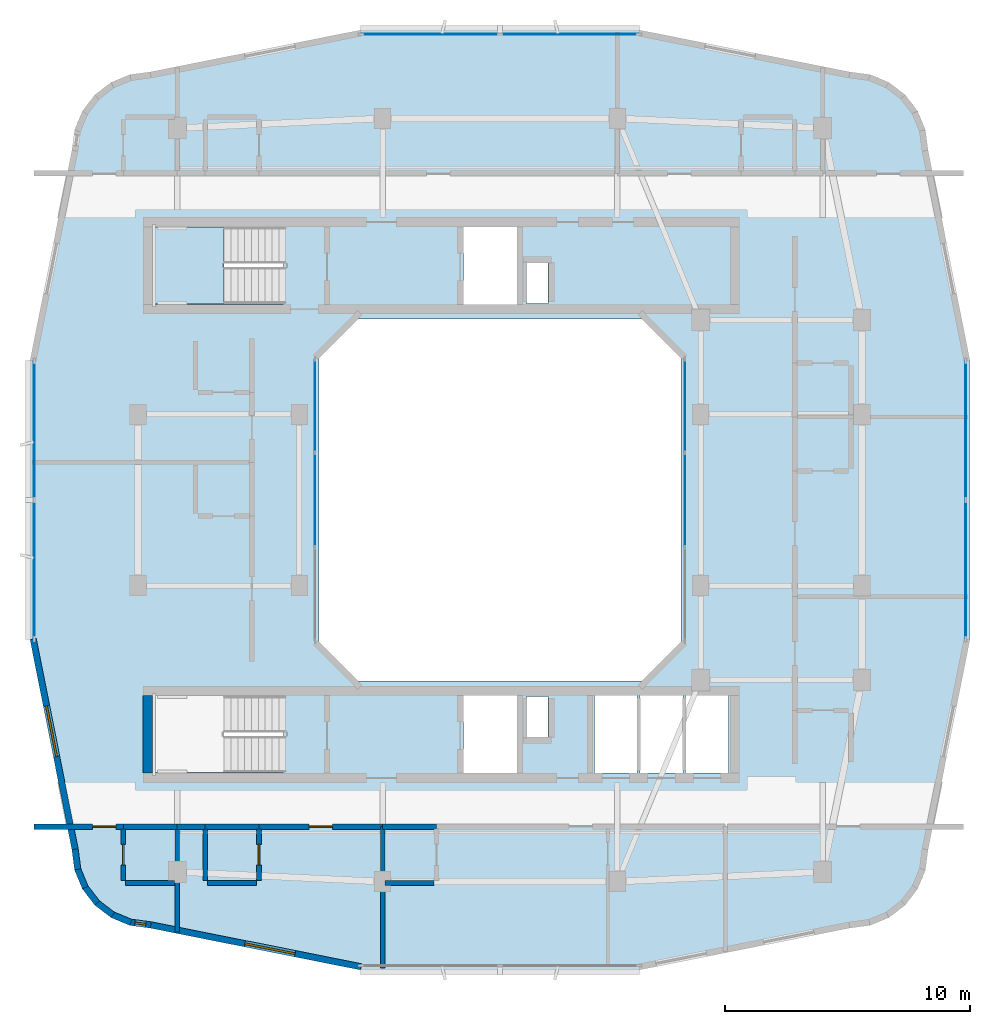
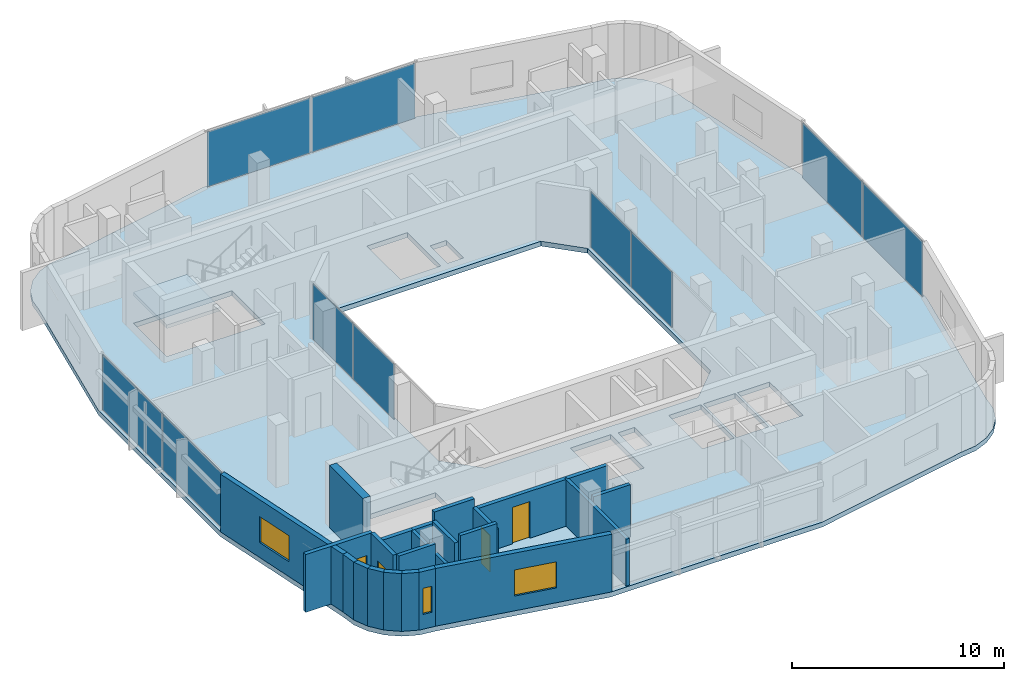
# One storey, part 6 of 14: 23 walls, 10 plates, 4 doors, 3 windows, 2 slabs, 7 openings, 6 elements without a shape of their own.
"""IFC4 building model written with IfcOpenShell, lengths in metres."""

from ifc_helpers import new_model, si_unit, derived_unit, direction, frame, frame_2d, origin, origin_2d, place, context, subcontext, project, spatial, polyline, rectangle, outline, extrude, material, layer, layer_set, type_object, element, fill, aggregate, save


model = new_model("IFC4")

# Units and contexts
model_context = context("Model", 3, precision=1e-05, world=origin(), true_north=direction((0.0, 1.0)))
body_context = subcontext(model_context, "Body", "Model", "MODEL_VIEW")
ifc_project = project(units=[si_unit("LENGTHUNIT", "METRE"), si_unit("AREAUNIT", "SQUARE_METRE"), si_unit("VOLUMEUNIT", "CUBIC_METRE"), si_unit("PLANEANGLEUNIT", "RADIAN"), si_unit("MASSUNIT", "GRAM", prefix="KILO"), derived_unit("THERMALTRANSMITTANCEUNIT", [(si_unit("POWERUNIT", "WATT"), 1), (si_unit("LENGTHUNIT", "METRE"), -2), (si_unit("THERMODYNAMICTEMPERATUREUNIT", "KELVIN"), -1)])], contexts=[model_context])

# Site, building, storey
site_placement = place(None, origin())
site = spatial("IfcSite", under=ifc_project, at=site_placement, CompositionType="ELEMENT")
building_placement = place(site_placement, origin())
building = spatial("IfcBuilding", under=site, at=building_placement, Name="Kivonza Crest Hotel", CompositionType="ELEMENT")
storey_placement = place(building_placement, frame((0.0, 0.0, 202.699951171875)))
storey = spatial("IfcBuildingStorey", under=building, at=storey_placement, Name="L55", CompositionType="ELEMENT", Elevation=202.699951171875)

# Curtain wall, plates
ifc_material_1 = material(Name="Anodised bronze aluminium and low-E double glazing", Category="aluminium")
ifc_layer_1 = layer(ifc_material_1, 0.159912109375)
ifc_layer_set_1 = layer_set([ifc_layer_1], Name="Anodised bronze aluminium and low-E double glazing")
curtain_wall_type_1 = type_object("IfcCurtainWallType", Name="CW-SYS-5", PredefinedType="NOTDEFINED", material=ifc_layer_set_1)
curtain_wall_1_placement = place(storey_placement, origin())
curtain_wall_1 = element("IfcCurtainWall", 1, at=curtain_wall_1_placement, inside=storey, type_object=curtain_wall_type_1, Name="L55 unitised curtain wall CW-WELL-T1-L55-3", PredefinedType="NOTDEFINED")
ifc_material_2 = material(Name="Solar-control low-E double glazing", Category="glass")
ifc_layer_2 = layer(ifc_material_2, 0.028076171875)
ifc_layer_set_2 = layer_set([ifc_layer_2], Name="Solar-control low-E double glazing")
plate_type_1 = type_object("IfcPlateType", Name="CW-PNL-28", PredefinedType="CURTAIN_PANEL", material=ifc_layer_set_2)
plate_1_placement = place(storey_placement, frame((28.56005859375, 25.0, 0.065185546875), z_axis=(0.0, 0.0, 1.0), x_axis=(0.0, 1.0, 0.0)))
plate_1 = element("IfcPlate", 2, at=plate_1_placement, type_object=plate_type_1, Name="CW-5 panel 2.1", PredefinedType="CURTAIN_PANEL", context=body_context, shape_type="SweptSolid", body=[
    extrude(rectangle(XDim=3.8017578125, YDim=0.028076171875, at=origin_2d()), origin(), (0.0, 0.0, 1.0), 3.18994140625),
])
plate_2_placement = place(storey_placement, frame((28.56005859375, 28.850341796875, 0.065185546875), z_axis=(0.0, 0.0, 1.0), x_axis=(0.0, 1.0, 0.0)))
plate_2 = element("IfcPlate", 3, at=plate_2_placement, type_object=plate_type_1, Name="CW-5 panel 3.1", PredefinedType="CURTAIN_PANEL", context=body_context, shape_type="SweptSolid", body=[
    extrude(rectangle(XDim=3.769287109375, YDim=0.028076171875, at=origin_2d()), origin(), (0.0, 0.0, 1.0), 3.18994140625),
])
aggregate(curtain_wall_1, [plate_1, plate_2])

curtain_wall_2_placement = place(storey_placement, origin())
curtain_wall_2 = element("IfcCurtainWall", 4, at=curtain_wall_2_placement, inside=storey, type_object=curtain_wall_type_1, Name="L55 unitised curtain wall CW-WELL-T1-L55-7", PredefinedType="NOTDEFINED")
plate_3_placement = place(storey_placement, frame((13.43994140625, 28.850341796875, 0.065185546875), z_axis=(0.0, 0.0, 1.0), x_axis=(0.0, -1.0, 0.0)))
plate_3 = element("IfcPlate", 5, at=plate_3_placement, type_object=plate_type_1, Name="CW-5 panel 1.1", PredefinedType="CURTAIN_PANEL", context=body_context, shape_type="SweptSolid", body=[
    extrude(rectangle(XDim=3.769287109375, YDim=0.028076171875, at=origin_2d()), origin(), (0.0, 0.0, 1.0), 3.18994140625),
])
plate_4_placement = place(storey_placement, frame((13.43994140625, 25.0, 0.065185546875), z_axis=(0.0, 0.0, 1.0), x_axis=(0.0, -1.0, 0.0)))
plate_4 = element("IfcPlate", 6, at=plate_4_placement, type_object=plate_type_1, Name="CW-5 panel 2.1", PredefinedType="CURTAIN_PANEL", context=body_context, shape_type="SweptSolid", body=[
    extrude(rectangle(XDim=3.8017578125, YDim=0.028076171875, at=origin_2d()), origin(), (0.0, 0.0, 1.0), 3.18994140625),
])
aggregate(curtain_wall_2, [plate_3, plate_4])

ifc_layer_3 = layer(ifc_material_1, 0.179931640625)
ifc_layer_set_3 = layer_set([ifc_layer_3], Name="Anodised bronze aluminium and low-E double glazing")
curtain_wall_type_2 = type_object("IfcCurtainWallType", Name="CW-SYS-3", PredefinedType="NOTDEFINED", material=ifc_layer_set_3)
curtain_wall_3_placement = place(storey_placement, origin())
curtain_wall_3 = element("IfcCurtainWall", 7, at=curtain_wall_3_placement, inside=storey, type_object=curtain_wall_type_2, Name="L55 unitised curtain wall CW-T1-L55-17", PredefinedType="NOTDEFINED")
ifc_material_3 = material(Name="Acoustic triple-laminated low-E glazing", Category="glass")
ifc_layer_4 = layer(ifc_material_3, 0.035888671875)
ifc_layer_set_4 = layer_set([ifc_layer_4], Name="Acoustic triple-laminated low-E glazing")
plate_type_2 = type_object("IfcPlateType", Name="CW-PNL-36", PredefinedType="CURTAIN_PANEL", material=ifc_layer_set_4)
plate_5_placement = place(storey_placement, frame((40.0400390625, 22.15869140625, 0.0751953125), z_axis=(0.0, 0.0, 1.0), x_axis=(0.0, 1.0, 0.0)))
plate_5 = element("IfcPlate", 8, at=plate_5_placement, type_object=plate_type_2, Name="CW-3 panel 1.1", PredefinedType="CURTAIN_PANEL", context=body_context, shape_type="SweptSolid", body=[
    extrude(rectangle(XDim=5.607421875, YDim=0.035888671875, at=origin_2d()), origin(), (0.0, 0.0, 1.0), 3.169921875),
])
plate_6_placement = place(storey_placement, frame((40.0400390625, 27.84130859375, 0.0751953125), z_axis=(0.0, 0.0, 1.0), x_axis=(0.0, 1.0, 0.0)))
plate_6 = element("IfcPlate", 9, at=plate_6_placement, type_object=plate_type_2, Name="CW-3 panel 2.1", PredefinedType="CURTAIN_PANEL", context=body_context, shape_type="SweptSolid", body=[
    extrude(rectangle(XDim=5.607421875, YDim=0.035888671875, at=origin_2d()), origin(), (0.0, 0.0, 1.0), 3.169921875),
])
aggregate(curtain_wall_3, [plate_5, plate_6])

curtain_wall_4_placement = place(storey_placement, origin())
curtain_wall_4 = element("IfcCurtainWall", 10, at=curtain_wall_4_placement, inside=storey, type_object=curtain_wall_type_2, Name="L55 unitised curtain wall CW-T1-L55-26", PredefinedType="NOTDEFINED")
plate_7_placement = place(storey_placement, frame((23.84130859375, 44.0400390625, 0.0751953125), z_axis=(0.0, 0.0, 1.0), x_axis=(-1.0, 0.0, 0.0)))
plate_7 = element("IfcPlate", 11, at=plate_7_placement, type_object=plate_type_2, Name="CW-3 panel 1.1", PredefinedType="CURTAIN_PANEL", context=body_context, shape_type="SweptSolid", body=[
    extrude(rectangle(XDim=5.607421875, YDim=0.035888671875, at=origin_2d()), origin(), (0.0, 0.0, 1.0), 3.169921875),
])
plate_8_placement = place(storey_placement, frame((18.15869140625, 44.0400390625, 0.0751953125), z_axis=(0.0, 0.0, 1.0), x_axis=(-1.0, 0.0, 0.0)))
plate_8 = element("IfcPlate", 12, at=plate_8_placement, type_object=plate_type_2, Name="CW-3 panel 2.1", PredefinedType="CURTAIN_PANEL", context=body_context, shape_type="SweptSolid", body=[
    extrude(rectangle(XDim=5.607421875, YDim=0.035888671875, at=origin_2d()), origin(), (0.0, 0.0, 1.0), 3.169921875),
])
aggregate(curtain_wall_4, [plate_7, plate_8])

curtain_wall_5_placement = place(storey_placement, origin())
curtain_wall_5 = element("IfcCurtainWall", 13, at=curtain_wall_5_placement, inside=storey, type_object=curtain_wall_type_2, Name="L55 unitised curtain wall CW-T1-L55-35", PredefinedType="NOTDEFINED")
plate_9_placement = place(storey_placement, frame((1.9599609375, 27.84130859375, 0.0751953125), z_axis=(0.0, 0.0, 1.0), x_axis=(0.0, -1.0, 0.0)))
plate_9 = element("IfcPlate", 14, at=plate_9_placement, type_object=plate_type_2, Name="CW-3 panel 1.1", PredefinedType="CURTAIN_PANEL", context=body_context, shape_type="SweptSolid", body=[
    extrude(rectangle(XDim=5.607421875, YDim=0.035888671875, at=origin_2d()), origin(), (0.0, 0.0, 1.0), 3.169921875),
])
plate_10_placement = place(storey_placement, frame((1.9599609375, 22.15869140625, 0.0751953125), z_axis=(0.0, 0.0, 1.0), x_axis=(0.0, -1.0, 0.0)))
plate_10 = element("IfcPlate", 15, at=plate_10_placement, type_object=plate_type_2, Name="CW-3 panel 2.1", PredefinedType="CURTAIN_PANEL", context=body_context, shape_type="SweptSolid", body=[
    extrude(rectangle(XDim=5.607421875, YDim=0.035888671875, at=origin_2d()), origin(), (0.0, 0.0, 1.0), 3.169921875),
])
aggregate(curtain_wall_5, [plate_9, plate_10])

# Slab
ifc_material_4 = material(Name="Concrete C40/50", Category="concrete")
ifc_layer_5 = layer(ifc_material_4, 0.280029296875)
ifc_layer_set_5 = layer_set([ifc_layer_5], Name="Concrete C40/50")
slab_type_1 = type_object("IfcSlabType", Name="SL-HTL-280", PredefinedType="FLOOR", material=ifc_layer_set_5)
slab_1_placement = place(storey_placement, frame((0.0, 0.0, -0.280029296875)))
element("IfcSlab", 16, at=slab_1_placement, inside=storey, type_object=slab_type_1, Name="Tower T1 L55 floor slab", PredefinedType="FLOOR", context=body_context, shape_type="SweptSolid", body=[
    extrude(outline(polyline([(3.5, 10.699951171875), (3.60888671875, 9.8720703125), (3.928955078125, 9.10009765625), (4.43701171875, 8.43701171875), (5.10009765625, 7.928955078125), (5.8720703125, 7.60888671875), (6.699951171875, 7.5), (15.239990234375, 5.800048828125), (26.760009765625, 5.800048828125), (35.300048828125, 7.5), (36.1279296875, 7.60888671875), (36.89990234375, 7.928955078125), (37.56298828125, 8.43701171875), (38.071044921875, 9.10009765625), (38.39111328125, 9.8720703125), (38.5, 10.699951171875), (40.199951171875, 19.239990234375), (40.199951171875, 30.760009765625), (38.5, 39.300048828125), (38.39111328125, 40.1279296875), (38.071044921875, 40.89990234375), (37.56298828125, 41.56298828125), (36.89990234375, 42.071044921875), (36.1279296875, 42.39111328125), (35.300048828125, 42.5), (26.760009765625, 44.199951171875), (15.239990234375, 44.199951171875), (6.699951171875, 42.5), (5.8720703125, 42.39111328125), (5.10009765625, 42.071044921875), (4.43701171875, 41.56298828125), (3.928955078125, 40.89990234375), (3.60888671875, 40.1279296875), (3.5, 39.300048828125), (1.800048828125, 30.760009765625), (1.800048828125, 19.239990234375), (3.5, 10.699951171875)]), holes=[polyline([(15.199951171875, 17.60009765625), (26.800048828125, 17.60009765625), (28.39990234375, 19.199951171875), (28.39990234375, 30.800048828125), (26.800048828125, 32.39990234375), (15.199951171875, 32.39990234375), (13.60009765625, 30.800048828125), (13.60009765625, 19.199951171875), (15.199951171875, 17.60009765625)]), polyline([(6.800048828125, 33.02001953125), (12.159912109375, 33.02001953125), (12.159912109375, 36.159912109375), (6.800048828125, 36.159912109375), (6.800048828125, 33.02001953125)]), polyline([(6.800048828125, 13.860107421875), (12.159912109375, 13.860107421875), (12.159912109375, 17.0), (6.800048828125, 17.0), (6.800048828125, 13.860107421875)]), polyline([(22.080078125, 33.0400390625), (22.969970703125, 33.0400390625), (22.969970703125, 34.679931640625), (22.080078125, 34.679931640625), (22.080078125, 33.0400390625)]), polyline([(22.080078125, 15.320068359375), (22.969970703125, 15.320068359375), (22.969970703125, 16.9599609375), (22.080078125, 16.9599609375), (22.080078125, 15.320068359375)]), polyline([(19.5, 33.0), (21.699951171875, 33.0), (21.699951171875, 36.159912109375), (19.5, 36.159912109375), (19.5, 33.0)]), polyline([(19.5, 13.840087890625), (21.699951171875, 13.840087890625), (21.699951171875, 17.0), (19.5, 17.0), (19.5, 13.840087890625)]), polyline([(24.860107421875, 13.840087890625), (26.60693359375, 13.840087890625), (26.60693359375, 17.0), (24.860107421875, 17.0), (24.860107421875, 13.840087890625)]), polyline([(26.72705078125, 13.840087890625), (28.472900390625, 13.840087890625), (28.472900390625, 17.0), (26.72705078125, 17.0), (26.72705078125, 13.840087890625)]), polyline([(28.593017578125, 13.840087890625), (30.340087890625, 13.840087890625), (30.340087890625, 17.0), (28.593017578125, 17.0), (28.593017578125, 13.840087890625)])]), origin(), (0.0, 0.0, 1.0), 0.280029296875),
])

# Stair, slab
stair_type = type_object("IfcStairType", Name="ST-DL-20R", PredefinedType="HALF_TURN_STAIR", material=ifc_material_4)
stair_placement = place(storey_placement, origin())
stair = element("IfcStair", 17, at=stair_placement, inside=storey, type_object=stair_type, Name="L55 Protected Exit Stair ST-T1-N", PredefinedType="HALF_TURN_STAIR")
ifc_layer_6 = layer(ifc_material_4, 0.199951171875)
ifc_layer_set_6 = layer_set([ifc_layer_6], Name="Concrete C40/50")
slab_type_2 = type_object("IfcSlabType", Name="SL-LAND-200", PredefinedType="LANDING", material=ifc_layer_set_6)
slab_2_placement = place(storey_placement, frame((0.0, 0.0, 1.60009765625)))
slab_2 = element("IfcSlab", 18, at=slab_2_placement, type_object=slab_type_2, Name="ST-T1-N landing 1", PredefinedType="LANDING", context=body_context, shape_type="SweptSolid", body=[
    extrude(outline(polyline([(9.719970703125, 36.159912109375), (6.800048828125, 36.159912109375), (6.800048828125, 33.02001953125), (9.719970703125, 33.02001953125), (9.719970703125, 36.159912109375)])), origin(), (0.0, 0.0, 1.0), 0.199951171875),
])
aggregate(stair, [slab_2])

# Walls
ifc_material_5 = material(Name="High-density acoustic masonry inter-tenancy wall", Category="masonry")
ifc_layer_7 = layer(ifc_material_5, 0.179931640625)
ifc_layer_set_7 = layer_set([ifc_layer_7], Name="High-density acoustic masonry inter-tenancy wall")
wall_type_1 = type_object("IfcWallType", Name="WL-ACOU-180", PredefinedType="SOLIDWALL", material=ifc_layer_set_7)
wall_1_placement = place(storey_placement, frame((7.800048828125, 7.342041015625, 0.0), z_axis=(0.0, 0.0, 1.0), x_axis=(0.0, 1.0, 0.0)))
element("IfcWall", 19, at=wall_1_placement, inside=storey, type_object=wall_type_1, Name="L55 interior partition WA-L55-T1S-DIV1", PredefinedType="SOLIDWALL", context=body_context, shape_type="SweptSolid", body=[
    extrude(rectangle(XDim=4.307861328125, YDim=0.179931640625, at=frame_2d((2.15380859375, 0.0))), origin(), (0.0, 0.0, 1.0), 2.695068359375),
])
wall_2_placement = place(storey_placement, frame((16.199951171875, 5.860107421875, 0.0), z_axis=(0.0, 0.0, 1.0), x_axis=(0.0, 1.0, 0.0)))
element("IfcWall", 20, at=wall_2_placement, inside=storey, type_object=wall_type_1, Name="L55 interior partition WA-L55-T1S-DIV2", PredefinedType="SOLIDWALL", context=body_context, shape_type="SweptSolid", body=[
    extrude(rectangle(XDim=5.789794921875, YDim=0.179931640625, at=frame_2d((2.89501953125, 0.0))), origin(), (0.0, 0.0, 1.0), 2.695068359375),
])
ifc_material_6 = material(Name="Autoclaved aerated concrete blockwork", Category="masonry")
ifc_layer_8 = layer(ifc_material_6, 0.219970703125)
ifc_layer_set_8 = layer_set([ifc_layer_8], Name="Autoclaved aerated concrete blockwork")
wall_type_2 = type_object("IfcWallType", Name="WL-ACOU-220", PredefinedType="SOLIDWALL", material=ifc_layer_set_8)
wall_3_placement = place(storey_placement, frame((5.60009765625, 11.64990234375, 0.0), z_axis=(0.0, 0.0, 1.0), x_axis=(1.0, 0.0, 0.0)))
element("IfcWall", 21, at=wall_3_placement, inside=storey, type_object=wall_type_2, Name="L55 interior partition WA-L55-S04-BCORR", PredefinedType="SOLIDWALL", context=body_context, shape_type="SweptSolid", body=[
    extrude(rectangle(XDim=2.199951171875, YDim=0.219970703125, at=frame_2d((1.10009765625, 0.0))), origin(), (0.0, 0.0, 1.0), 2.695068359375),
])

# Wall, opening, door
wall_4_placement = place(storey_placement, frame((1.9599609375, 11.64990234375, 0.0), z_axis=(0.0, 0.0, 1.0), x_axis=(1.0, 0.0, 0.0)))
wall_4 = element("IfcWall", 22, at=wall_4_placement, inside=storey, type_object=wall_type_2, Name="L55 interior partition WA-L55-S04-MCORR", PredefinedType="SOLIDWALL", context=body_context, shape_type="SweptSolid", body=[
    extrude(rectangle(XDim=3.64013671875, YDim=0.219970703125, at=frame_2d((1.820068359375, 0.0))), origin(), (0.0, 0.0, 1.0), 3.320068359375),
])
opening_1_placement = place(wall_4_placement, frame((2.389892578125, 0.0, 0.0)))
opening_1 = element("IfcOpeningElement", 23, at=opening_1_placement, cuts=wall_4, Name="Opening DU-60", PredefinedType="OPENING", context=body_context, shape_type="SweptSolid", body=[
    extrude(rectangle(XDim=0.949951171875, YDim=2.10009765625, at=frame_2d((0.47509765625, 1.050048828125))), frame((0.0, 0.1201171875, 0.0), z_axis=(0.0, -1.0, 0.0), x_axis=(1.0, 0.0, 0.0)), (0.0, 0.0, 1.0), 0.239990234375),
])
ifc_material_7 = material(Name="Hardwood timber oak", Category="wood")
door_type_1 = type_object("IfcDoorType", Name="DR-UNIT-950", OperationType="NOTDEFINED", PredefinedType="DOOR", material=ifc_material_7)
door_1_placement = place(opening_1_placement, frame((0.949951171875, 0.0, 0.0), z_axis=(0.0, 0.0, 1.0), x_axis=(-1.0, 0.0, 0.0)))
door_1 = element("IfcDoor", 24, at=door_1_placement, inside=storey, type_object=door_type_1, Name="L55 S04 guest unit entrance fire door", OperationType="SINGLE_SWING_RIGHT", OverallHeight=2.10009765625, OverallWidth=0.949951171875, PredefinedType="DOOR", context=body_context, shape_type="SweptSolid", body=[
    extrude(rectangle(XDim=0.949951171875, YDim=2.10009765625, at=frame_2d((0.47509765625, 1.050048828125))), frame((0.0, 0.02490234375, 0.0), z_axis=(0.0, -1.0, 0.0), x_axis=(1.0, 0.0, 0.0)), (0.0, 0.0, 1.0), 0.050048828125),
])
fill(opening_1, door_1)

# Walls
wall_5_placement = place(storey_placement, frame((7.800048828125, 11.64990234375, 0.0), z_axis=(0.0, 0.0, 1.0), x_axis=(1.0, 0.0, 0.0)))
element("IfcWall", 25, at=wall_5_placement, inside=storey, type_object=wall_type_2, Name="L55 interior partition WA-L55-S05-XCORR", PredefinedType="SOLIDWALL", context=body_context, shape_type="SweptSolid", body=[
    extrude(rectangle(XDim=1.14990234375, YDim=0.219970703125, at=frame_2d((0.574951171875, 0.0))), origin(), (0.0, 0.0, 1.0), 2.695068359375),
])
wall_6_placement = place(storey_placement, frame((8.949951171875, 11.64990234375, 0.0), z_axis=(0.0, 0.0, 1.0), x_axis=(1.0, 0.0, 0.0)))
element("IfcWall", 26, at=wall_6_placement, inside=storey, type_object=wall_type_2, Name="L55 interior partition WA-L55-S05-BCORR", PredefinedType="SOLIDWALL", context=body_context, shape_type="SweptSolid", body=[
    extrude(rectangle(XDim=2.199951171875, YDim=0.219970703125, at=frame_2d((1.10009765625, 0.0))), origin(), (0.0, 0.0, 1.0), 3.320068359375),
])

# Wall, opening, door
wall_7_placement = place(storey_placement, frame((11.14990234375, 11.64990234375, 0.0), z_axis=(0.0, 0.0, 1.0), x_axis=(1.0, 0.0, 0.0)))
wall_7 = element("IfcWall", 27, at=wall_7_placement, inside=storey, type_object=wall_type_2, Name="L55 interior partition WA-L55-S05-MCORR", PredefinedType="SOLIDWALL", context=body_context, shape_type="SweptSolid", body=[
    extrude(rectangle(XDim=5.050048828125, YDim=0.219970703125, at=frame_2d((2.52490234375, 0.0))), origin(), (0.0, 0.0, 1.0), 2.695068359375),
])
opening_2_placement = place(wall_7_placement, frame((2.050048828125, 0.0, 0.0)))
opening_2 = element("IfcOpeningElement", 28, at=opening_2_placement, cuts=wall_7, Name="Opening DU-60", PredefinedType="OPENING", context=body_context, shape_type="SweptSolid", body=[
    extrude(rectangle(XDim=0.949951171875, YDim=2.10009765625, at=frame_2d((0.47509765625, 1.050048828125))), frame((0.0, 0.1201171875, 0.0), z_axis=(0.0, -1.0, 0.0), x_axis=(1.0, 0.0, 0.0)), (0.0, 0.0, 1.0), 0.239990234375),
])
door_2_placement = place(opening_2_placement, frame((0.949951171875, 0.0, 0.0), z_axis=(0.0, 0.0, 1.0), x_axis=(-1.0, 0.0, 0.0)))
door_2 = element("IfcDoor", 29, at=door_2_placement, inside=storey, type_object=door_type_1, Name="L55 S05 guest unit entrance fire door", OperationType="SINGLE_SWING_LEFT", OverallHeight=2.10009765625, OverallWidth=0.949951171875, PredefinedType="DOOR", context=body_context, shape_type="SweptSolid", body=[
    extrude(rectangle(XDim=0.949951171875, YDim=2.10009765625, at=frame_2d((0.47509765625, 1.050048828125))), frame((0.0, 0.02490234375, 0.0), z_axis=(0.0, -1.0, 0.0), x_axis=(1.0, 0.0, 0.0)), (0.0, 0.0, 1.0), 0.050048828125),
])
fill(opening_2, door_2)

# Walls
wall_8_placement = place(storey_placement, frame((16.199951171875, 11.64990234375, 0.0), z_axis=(0.0, 0.0, 1.0), x_axis=(1.0, 0.0, 0.0)))
element("IfcWall", 30, at=wall_8_placement, inside=storey, type_object=wall_type_2, Name="L55 interior partition WA-L55-S06-BCORR", PredefinedType="SOLIDWALL", context=body_context, shape_type="SweptSolid", body=[
    extrude(rectangle(XDim=2.199951171875, YDim=0.219970703125, at=frame_2d((1.10009765625, 0.0))), origin(), (0.0, 0.0, 1.0), 2.695068359375),
])
ifc_material_8 = material(Name="Concrete C50/60", Category="concrete")
ifc_layer_9 = layer(ifc_material_8, 0.39990234375)
ifc_layer_set_9 = layer_set([ifc_layer_9], Name="Concrete C50/60")
wall_type_3 = type_object("IfcWallType", Name="WL-CORE-400", PredefinedType="SHEAR", material=ifc_layer_set_9)
wall_9_placement = place(storey_placement, frame((6.60009765625, 13.840087890625, 0.0), z_axis=(0.0, 0.0, 1.0), x_axis=(0.0, 1.0, 0.0)))
element("IfcWall", 31, at=wall_9_placement, inside=storey, type_object=wall_type_3, Name="Core wall T1-S West L55", PredefinedType="SHEAR", context=body_context, shape_type="SweptSolid", body=[
    extrude(rectangle(XDim=3.159912109375, YDim=0.39990234375, at=frame_2d((1.580078125, 0.0))), origin(), (0.0, 0.0, 1.0), 3.60009765625),
])
ifc_material_9 = material(Name="Precast concrete C40/50", Category="concrete")
ifc_layer_10 = layer(ifc_material_9, 0.260009765625)
ifc_layer_set_10 = layer_set([ifc_layer_10], Name="Precast concrete C40/50")
wall_type_4 = type_object("IfcWallType", Name="WL-EXT-260", PredefinedType="STANDARD", material=ifc_layer_set_10)
wall_10_placement = place(storey_placement, frame((3.6279296875, 10.72509765625, 0.0), z_axis=(0.0, 0.0, 1.0), x_axis=(0.130954667764, -0.9913883573, 0.0)))
element("IfcWall", 32, at=wall_10_placement, inside=storey, type_object=wall_type_4, Name="L55 T1 exterior insulated wall 1", PredefinedType="STANDARD", context=body_context, shape_type="SweptSolid", body=[
    extrude(rectangle(XDim=0.833251953125, YDim=0.260009765625, at=frame_2d((0.41650390625, 0.0))), origin(), (0.0, 0.0, 1.0), 3.320068359375),
])
wall_11_placement = place(storey_placement, frame((3.718994140625, 9.945068359375, 0.0), z_axis=(0.0, 0.0, 1.0), x_axis=(0.382985169477, -0.923754491172, 0.0)))
element("IfcWall", 33, at=wall_11_placement, inside=storey, type_object=wall_type_4, Name="L55 T1 exterior insulated wall 2", PredefinedType="STANDARD", context=body_context, shape_type="SweptSolid", body=[
    extrude(rectangle(XDim=0.85107421875, YDim=0.260009765625, at=frame_2d((0.425537109375, 0.0))), origin(), (0.0, 0.0, 1.0), 3.320068359375),
])
for number, where, z_axis, x_axis, name in (
    (34, (4.01708984375, 9.198974609375, 0.0), (0.0, 0.0, 1.0), (0.607918988881, -0.793999057278, 0.0), "L55 T1 exterior insulated wall 3"),
    (35, (4.49609375, 8.554931640625, 0.0), (0.0, 0.0, 1.0), (0.793892896323, -0.608057619941, 0.0), "L55 T1 exterior insulated wall 4"),
):
    element("IfcWall", number, at=place(storey_placement, frame(where, z_axis=z_axis, x_axis=x_axis)), inside=storey, type_object=wall_type_4, Name=name, PredefinedType="STANDARD", context=body_context, shape_type="SweptSolid", body=[
        extrude(rectangle(XDim=0.85009765625, YDim=0.260009765625, at=frame_2d((0.425048828125, 0.0))), origin(), (0.0, 0.0, 1.0), 3.320068359375),
    ])
wall_12_placement = place(storey_placement, frame((5.126953125, 8.05908203125, 0.0), z_axis=(0.0, 0.0, 1.0), x_axis=(0.923652976167, -0.383229930484, 0.0)))
element("IfcWall", 36, at=wall_12_placement, inside=storey, type_object=wall_type_4, Name="L55 T1 exterior insulated wall 5", PredefinedType="STANDARD", context=body_context, shape_type="SweptSolid", body=[
    extrude(rectangle(XDim=0.85107421875, YDim=0.260009765625, at=frame_2d((0.425537109375, 0.0))), origin(), (0.0, 0.0, 1.0), 3.320068359375),
])

# Wall, opening, window
wall_13_placement = place(storey_placement, frame((5.864013671875, 7.740966796875, 0.0), z_axis=(0.0, 0.0, 1.0), x_axis=(0.991493480548, -0.130156359936, 0.0)))
wall_13 = element("IfcWall", 37, at=wall_13_placement, inside=storey, type_object=wall_type_4, Name="L55 T1 exterior insulated wall 6", PredefinedType="STANDARD", context=body_context, shape_type="SweptSolid", body=[
    extrude(rectangle(XDim=0.868408203125, YDim=0.260009765625, at=frame_2d((0.43408203125, 0.0))), origin(), (0.0, 0.0, 1.0), 3.320068359375),
])
opening_3_placement = place(wall_13_placement, frame((0.208984375, 0.0, 0.85009765625)))
opening_3 = element("IfcOpeningElement", 38, at=opening_3_placement, cuts=wall_13, Name="Opening WN-11", PredefinedType="OPENING", context=body_context, shape_type="SweptSolid", body=[
    extrude(rectangle(XDim=0.449951171875, YDim=1.5, at=frame_2d((0.22509765625, 0.75))), frame((0.0, 0.14013671875, 0.0), z_axis=(0.0, -1.0, 0.0), x_axis=(1.0, 0.0, 0.0)), (0.0, 0.0, 1.0), 0.280029296875),
])
ifc_material_10 = material(Name="Thermally broken bronze aluminium and low-E double glazing", Category="aluminium")
window_type_1 = type_object("IfcWindowType", Name="WN-045x150", PartitioningType="SINGLE_PANEL", PredefinedType="WINDOW", material=ifc_material_10)
window_1_placement = place(opening_3_placement, origin())
window_1 = element("IfcWindow", 39, at=window_1_placement, inside=storey, type_object=window_type_1, Name="L55 corner vision window 2", OverallHeight=1.5, OverallWidth=0.449951171875, PartitioningType="SINGLE_PANEL", PredefinedType="WINDOW", context=body_context, shape_type="SweptSolid", body=[
    extrude(rectangle(XDim=0.449951171875, YDim=1.5, at=frame_2d((0.22509765625, 0.75))), frame((0.0, 0.030029296875, 0.0), z_axis=(0.0, -1.0, 0.0), x_axis=(1.0, 0.0, 0.0)), (0.0, 0.0, 1.0), 0.06005859375),
])
fill(opening_3, window_1)

wall_14_placement = place(storey_placement, frame((6.717041015625, 7.62890625, 0.0), z_axis=(0.0, 0.0, 1.0), x_axis=(0.980745199176, -0.195291715883, 0.0)))
wall_14 = element("IfcWall", 40, at=wall_14_placement, inside=storey, type_object=wall_type_4, Name="L55 T1 exterior insulated wall 7", PredefinedType="STANDARD", context=body_context, shape_type="SweptSolid", body=[
    extrude(rectangle(XDim=8.77099609375, YDim=0.260009765625, at=frame_2d((4.385498046875, 0.0))), origin(), (0.0, 0.0, 1.0), 3.320068359375),
])
opening_4_placement = place(wall_14_placement, frame((3.925048828125, 0.0, 0.85009765625)))
opening_4 = element("IfcOpeningElement", 41, at=opening_4_placement, cuts=wall_14, Name="Opening WN-04", PredefinedType="OPENING", context=body_context, shape_type="SweptSolid", body=[
    extrude(rectangle(XDim=2.10009765625, YDim=1.5, at=frame_2d((1.050048828125, 0.75))), frame((0.0, 0.14013671875, 0.0), z_axis=(0.0, -1.0, 0.0), x_axis=(1.0, 0.0, 0.0)), (0.0, 0.0, 1.0), 0.280029296875),
])
window_type_2 = type_object("IfcWindowType", Name="WN-210x150", PartitioningType="DOUBLE_PANEL_VERTICAL", PredefinedType="WINDOW", material=ifc_material_10)
window_2_placement = place(opening_4_placement, origin())
window_2 = element("IfcWindow", 42, at=window_2_placement, inside=storey, type_object=window_type_2, Name="L55 T1 facade window 7", OverallHeight=1.5, OverallWidth=2.10009765625, PartitioningType="SINGLE_PANEL", PredefinedType="WINDOW", context=body_context, shape_type="SweptSolid", body=[
    extrude(rectangle(XDim=2.10009765625, YDim=1.5, at=frame_2d((1.050048828125, 0.75))), frame((0.0, 0.030029296875, 0.0), z_axis=(0.0, -1.0, 0.0), x_axis=(1.0, 0.0, 0.0)), (0.0, 0.0, 1.0), 0.06005859375),
])
fill(opening_4, window_2)

wall_15_placement = place(storey_placement, frame((1.916015625, 19.319091796875, 0.0), z_axis=(0.0, 0.0, 1.0), x_axis=(0.195291715883, -0.980745199176, 0.0)))
wall_15 = element("IfcWall", 43, at=wall_15_placement, inside=storey, type_object=wall_type_4, Name="L55 T1 exterior insulated wall 36", PredefinedType="STANDARD", context=body_context, shape_type="SweptSolid", body=[
    extrude(rectangle(XDim=8.77099609375, YDim=0.260009765625, at=frame_2d((4.385498046875, 0.0))), origin(), (0.0, 0.0, 1.0), 3.320068359375),
])
opening_5_placement = place(wall_15_placement, frame((2.798095703125, 0.0, 0.85009765625)))
opening_5 = element("IfcOpeningElement", 44, at=opening_5_placement, cuts=wall_15, Name="Opening WN-04", PredefinedType="OPENING", context=body_context, shape_type="SweptSolid", body=[
    extrude(rectangle(XDim=2.10009765625, YDim=1.5, at=frame_2d((1.050048828125, 0.75))), frame((0.0, 0.14013671875, 0.0), z_axis=(0.0, -1.0, 0.0), x_axis=(1.0, 0.0, 0.0)), (0.0, 0.0, 1.0), 0.280029296875),
])
window_3_placement = place(opening_5_placement, origin())
window_3 = element("IfcWindow", 45, at=window_3_placement, inside=storey, type_object=window_type_2, Name="L55 T1 facade window 36", OverallHeight=1.5, OverallWidth=2.10009765625, PartitioningType="SINGLE_PANEL", PredefinedType="WINDOW", context=body_context, shape_type="SweptSolid", body=[
    extrude(rectangle(XDim=2.10009765625, YDim=1.5, at=frame_2d((1.050048828125, 0.75))), frame((0.0, 0.030029296875, 0.0), z_axis=(0.0, -1.0, 0.0), x_axis=(1.0, 0.0, 0.0)), (0.0, 0.0, 1.0), 0.06005859375),
])
fill(opening_5, window_3)

# Wall, opening, door
ifc_material_11 = material(Name="Moisture-resistant plumbing chase partition wall", Category="gypsum")
ifc_layer_11 = layer(ifc_material_11, 0.199951171875)
ifc_layer_set_11 = layer_set([ifc_layer_11], Name="Moisture-resistant plumbing chase partition wall")
wall_type_5 = type_object("IfcWallType", Name="WL-PLUMB-200", PredefinedType="PLUMBINGWALL", material=ifc_layer_set_11)
wall_16_placement = place(storey_placement, frame((5.60009765625, 9.449951171875, 0.0), z_axis=(0.0, 0.0, 1.0), x_axis=(0.0, 1.0, 0.0)))
wall_16 = element("IfcWall", 46, at=wall_16_placement, inside=storey, type_object=wall_type_5, Name="L55 interior partition WW-L55-S04-BV", PredefinedType="PLUMBINGWALL", context=body_context, shape_type="SweptSolid", body=[
    extrude(rectangle(XDim=2.10009765625, YDim=0.199951171875, at=frame_2d((1.050048828125, 0.0))), origin(), (0.0, 0.0, 1.0), 3.320068359375),
])
opening_6_placement = place(wall_16_placement, frame((0.625, 0.0, 0.0)))
opening_6 = element("IfcOpeningElement", 47, at=opening_6_placement, cuts=wall_16, Name="Opening DI-85", PredefinedType="OPENING", context=body_context, shape_type="SweptSolid", body=[
    extrude(rectangle(XDim=0.85009765625, YDim=2.10009765625, at=frame_2d((0.425048828125, 1.050048828125))), frame((0.0, 0.10986328125, 0.0), z_axis=(0.0, -1.0, 0.0), x_axis=(1.0, 0.0, 0.0)), (0.0, 0.0, 1.0), 0.219970703125),
])
door_type_2 = type_object("IfcDoorType", Name="DR-INT-850", OperationType="NOTDEFINED", PredefinedType="DOOR", material=ifc_material_7)
door_3_placement = place(opening_6_placement, origin())
door_3 = element("IfcDoor", 48, at=door_3_placement, inside=storey, type_object=door_type_2, Name="L55 S04 en-suite bathroom door", OperationType="SINGLE_SWING_LEFT", OverallHeight=2.10009765625, OverallWidth=0.85009765625, PredefinedType="DOOR", context=body_context, shape_type="SweptSolid", body=[
    extrude(rectangle(XDim=0.85009765625, YDim=2.10009765625, at=frame_2d((0.425048828125, 1.050048828125))), frame((0.0, 0.02490234375, 0.0), z_axis=(0.0, -1.0, 0.0), x_axis=(1.0, 0.0, 0.0)), (0.0, 0.0, 1.0), 0.050048828125),
])
fill(opening_6, door_3)

# Wall
wall_17_placement = place(storey_placement, frame((5.699951171875, 9.35009765625, 0.0), z_axis=(0.0, 0.0, 1.0), x_axis=(1.0, 0.0, 0.0)))
element("IfcWall", 49, at=wall_17_placement, inside=storey, type_object=wall_type_5, Name="L55 interior partition WW-L55-S04-BH", PredefinedType="PLUMBINGWALL", context=body_context, shape_type="SweptSolid", body=[
    extrude(rectangle(XDim=2.0, YDim=0.199951171875, at=frame_2d((1.0, 0.0))), origin(), (0.0, 0.0, 1.0), 3.320068359375),
])

# Wall, opening, door
wall_18_placement = place(storey_placement, frame((11.14990234375, 9.449951171875, 0.0), z_axis=(0.0, 0.0, 1.0), x_axis=(0.0, 1.0, 0.0)))
wall_18 = element("IfcWall", 50, at=wall_18_placement, inside=storey, type_object=wall_type_5, Name="L55 interior partition WW-L55-S05-BV", PredefinedType="PLUMBINGWALL", context=body_context, shape_type="SweptSolid", body=[
    extrude(rectangle(XDim=2.10009765625, YDim=0.199951171875, at=frame_2d((1.050048828125, 0.0))), origin(), (0.0, 0.0, 1.0), 2.844970703125),
])
opening_7_placement = place(wall_18_placement, frame((0.625, 0.0, 0.0)))
opening_7 = element("IfcOpeningElement", 51, at=opening_7_placement, cuts=wall_18, Name="Opening DI-85", PredefinedType="OPENING", context=body_context, shape_type="SweptSolid", body=[
    extrude(rectangle(XDim=0.85009765625, YDim=2.10009765625, at=frame_2d((0.425048828125, 1.050048828125))), frame((0.0, 0.10986328125, 0.0), z_axis=(0.0, -1.0, 0.0), x_axis=(1.0, 0.0, 0.0)), (0.0, 0.0, 1.0), 0.219970703125),
])
door_4_placement = place(opening_7_placement, frame((0.85009765625, 0.0, 0.0), z_axis=(0.0, 0.0, 1.0), x_axis=(-1.0, 0.0, 0.0)))
door_4 = element("IfcDoor", 52, at=door_4_placement, inside=storey, type_object=door_type_2, Name="L55 S05 en-suite bathroom door", OperationType="SINGLE_SWING_RIGHT", OverallHeight=2.10009765625, OverallWidth=0.85009765625, PredefinedType="DOOR", context=body_context, shape_type="SweptSolid", body=[
    extrude(rectangle(XDim=0.85009765625, YDim=2.10009765625, at=frame_2d((0.425048828125, 1.050048828125))), frame((0.0, 0.02490234375, 0.0), z_axis=(0.0, -1.0, 0.0), x_axis=(1.0, 0.0, 0.0)), (0.0, 0.0, 1.0), 0.050048828125),
])
fill(opening_7, door_4)

# Walls
wall_19_placement = place(storey_placement, frame((9.050048828125, 9.35009765625, 0.0), z_axis=(0.0, 0.0, 1.0), x_axis=(1.0, 0.0, 0.0)))
element("IfcWall", 53, at=wall_19_placement, inside=storey, type_object=wall_type_5, Name="L55 interior partition WW-L55-S05-BH", PredefinedType="PLUMBINGWALL", context=body_context, shape_type="SweptSolid", body=[
    extrude(rectangle(XDim=2.0, YDim=0.199951171875, at=frame_2d((1.0, 0.0))), origin(), (0.0, 0.0, 1.0), 3.320068359375),
])
wall_20_placement = place(storey_placement, frame((8.949951171875, 9.449951171875, 0.0), z_axis=(0.0, 0.0, 1.0), x_axis=(0.0, 1.0, 0.0)))
element("IfcWall", 54, at=wall_20_placement, inside=storey, type_object=wall_type_5, Name="L55 interior partition WW-L55-S05-BVW", PredefinedType="PLUMBINGWALL", context=body_context, shape_type="SweptSolid", body=[
    extrude(rectangle(XDim=2.10009765625, YDim=0.199951171875, at=frame_2d((1.050048828125, 0.0))), origin(), (0.0, 0.0, 1.0), 2.844970703125),
])
wall_21_placement = place(storey_placement, frame((16.300048828125, 9.35009765625, 0.0), z_axis=(0.0, 0.0, 1.0), x_axis=(1.0, 0.0, 0.0)))
element("IfcWall", 55, at=wall_21_placement, inside=storey, type_object=wall_type_5, Name="L55 interior partition WW-L55-S06-BH", PredefinedType="PLUMBINGWALL", context=body_context, shape_type="SweptSolid", body=[
    extrude(rectangle(XDim=2.0, YDim=0.199951171875, at=frame_2d((1.0, 0.0))), origin(), (0.0, 0.0, 1.0), 3.01513671875),
])

save(model, "model.ifc")
